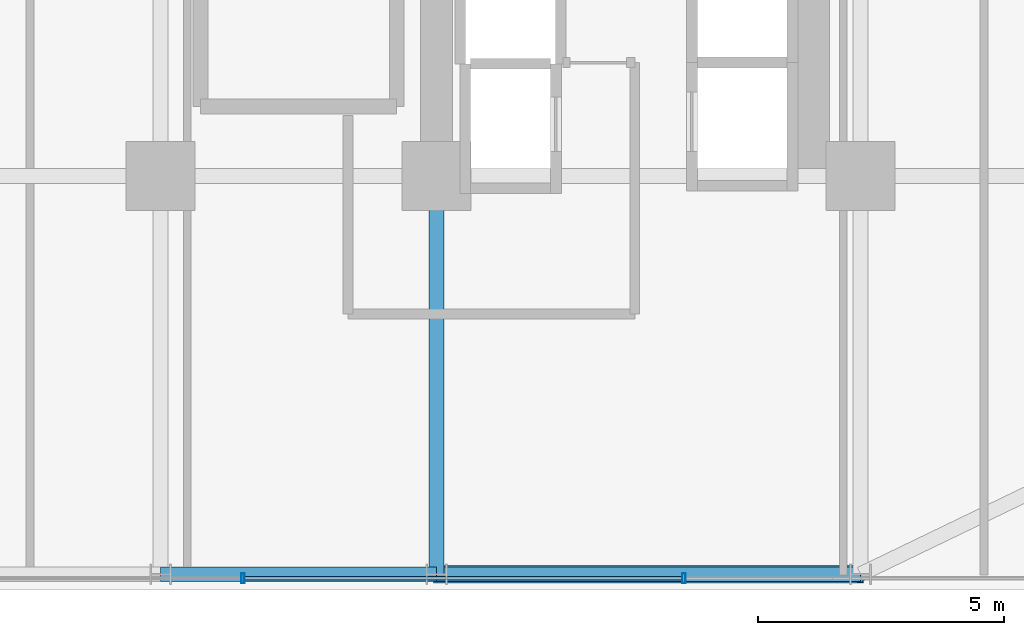
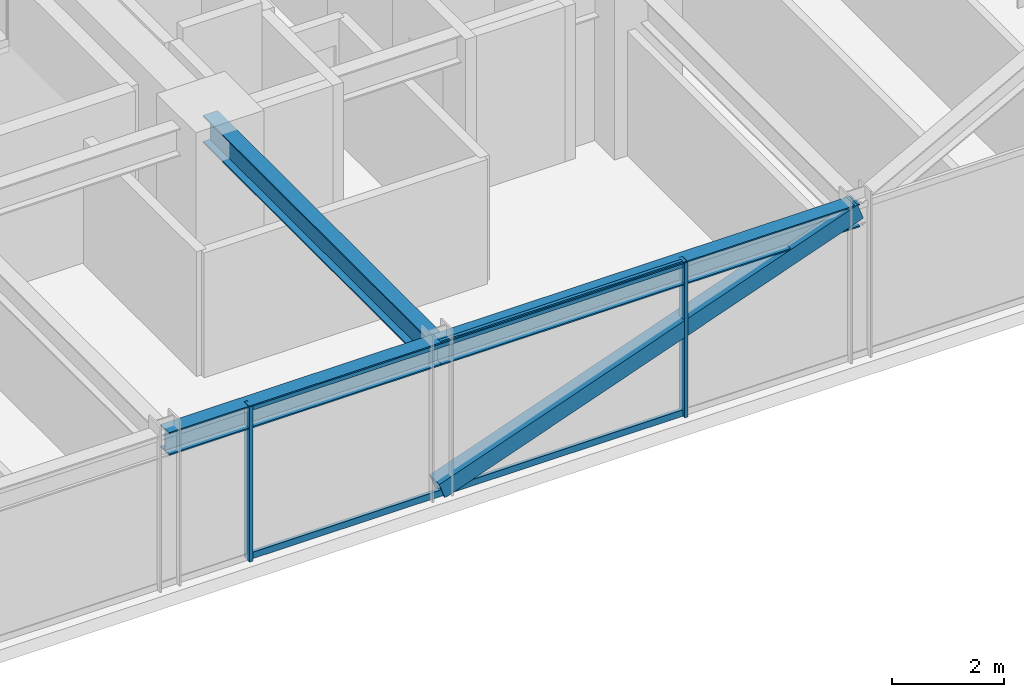
# One storey, part 15 of 42: 5 members, 3 beams, 1 element without a shape of its own.
"""IFC4 building model written with IfcOpenShell, lengths in metres."""

from ifc_helpers import new_model, si_unit, direction, frame, origin, origin_2d, place, context, subcontext, project, spatial, hollow_rectangle, i_section, extrude, source, transform, mapped, material, material_profile, profile_set, type_object, element, aggregate, save


model = new_model("IFC4")

# Units and contexts
model_context = context("Model", 3, precision=1e-05, world=origin(), true_north=direction((0.0, 1.0)))
body_context = subcontext(model_context, "Body", "Model", "MODEL_VIEW")
ifc_project = project(units=[si_unit("LENGTHUNIT", "METRE"), si_unit("AREAUNIT", "SQUARE_METRE"), si_unit("VOLUMEUNIT", "CUBIC_METRE"), si_unit("PLANEANGLEUNIT", "RADIAN"), si_unit("MASSUNIT", "GRAM", prefix="KILO")], contexts=[model_context])

# Site, building, storey
site_placement = place(None, origin())
site = spatial("IfcSite", under=ifc_project, at=site_placement, CompositionType="ELEMENT")
building_placement = place(site_placement, origin())
building = spatial("IfcBuilding", under=site, at=building_placement, Name="Nahalor Promenade Grand Hotel", CompositionType="ELEMENT")
storey_placement = place(building_placement, frame((0.0, 0.0, 61.60009765625)))
storey = spatial("IfcBuildingStorey", under=building, at=storey_placement, Name="L14", CompositionType="ELEMENT", Elevation=61.60009765625)

# Beams
ifc_material_1 = material(Name="Steel S355JR", Category="steel")
ifc_material_profile_1 = material_profile(ifc_material_1, i_section(OverallWidth=0.3, OverallDepth=0.5, WebThickness=0.0145, FlangeThickness=0.028, at=origin_2d()), Name="HEB 500")
ifc_profile_set_1 = profile_set([ifc_material_profile_1], Name="Steel S355JR")
beam_type_1 = type_object("IfcBeamType", Name="Beam-Spandrel-HEB500", PredefinedType="SPANDREL", material=ifc_profile_set_1)
shared_shape_1 = source(origin(), body_context, "Body", "SweptSolid", [
    extrude(i_section(OverallWidth=0.3, OverallDepth=0.5, WebThickness=0.0145, FlangeThickness=0.028, at=origin_2d()), origin(), (0.0, 0.0, 1.0), 8.60009765625),
])
beam_1_placement = place(storey_placement, frame((8.39990234375, -25.080078125, 3.119873046875), z_axis=(1.0, 0.0, 0.0), x_axis=(0.0, 1.0, 0.0)))
element("IfcBeam", 1, at=beam_1_placement, inside=storey, type_object=beam_type_1, Name="BM-L14-SP-S-4", PredefinedType="SPANDREL", context=body_context, shape_type="MappedRepresentation", body=[
    mapped(shared_shape_1, transform((0.0, 0.0, 0.0), scale=1.0)),
])
shared_shape_2 = source(origin(), body_context, "Body", "SweptSolid", [
    extrude(i_section(OverallWidth=0.3, OverallDepth=0.5, WebThickness=0.0145, FlangeThickness=0.028, at=origin_2d()), origin(), (0.0, 0.0, 1.0), 5.599853515625),
])
beam_2_placement = place(storey_placement, frame((2.800048828125, -25.080078125, 3.119873046875), z_axis=(1.0, 0.0, 0.0), x_axis=(0.0, 1.0, 0.0)))
element("IfcBeam", 2, at=beam_2_placement, inside=storey, type_object=beam_type_1, Name="BM-L14-SP-S-3", PredefinedType="SPANDREL", context=body_context, shape_type="MappedRepresentation", body=[
    mapped(shared_shape_2, transform((0.0, 0.0, 0.0), scale=1.0)),
])
ifc_material_profile_2 = material_profile(ifc_material_1, i_section(OverallWidth=0.3, OverallDepth=0.6, WebThickness=0.0155, FlangeThickness=0.03, at=origin_2d()), Name="HEB 600")
ifc_profile_set_2 = profile_set([ifc_material_profile_2], Name="Steel S355JR")
beam_type_2 = type_object("IfcBeamType", Name="Beam-Girder-HEB600", PredefinedType="BEAM", material=ifc_profile_set_2)
shared_shape_3 = source(origin(), body_context, "Body", "SweptSolid", [
    extrude(i_section(OverallWidth=0.3, OverallDepth=0.6, WebThickness=0.0155, FlangeThickness=0.03, at=origin_2d()), origin(), (0.0, 0.0, 1.0), 8.080078125),
])
beam_3_placement = place(storey_placement, frame((8.39990234375, -25.080078125, 3.06982421875), z_axis=(0.0, 1.0, 0.0), x_axis=(-1.0, 0.0, 0.0)))
element("IfcBeam", 3, at=beam_3_placement, inside=storey, type_object=beam_type_2, Name="BM-L14-GY-4-0", PredefinedType="BEAM", context=body_context, shape_type="MappedRepresentation", body=[
    mapped(shared_shape_3, transform((0.0, 0.0, 0.0), scale=1.0)),
])

# Member
ifc_material_profile_3 = material_profile(ifc_material_1, hollow_rectangle(XDim=0.35, YDim=0.35, WallThickness=0.02, at=origin_2d()), Name="SHS 350x350x20")
ifc_profile_set_3 = profile_set([ifc_material_profile_3], Name="Steel S355JR")
member_type_1 = type_object("IfcMemberType", Name="Mem-VoidBrace-SHS350", PredefinedType="BRACE", material=ifc_profile_set_3)
shared_shape_4 = source(origin(), body_context, "Body", "SweptSolid", [
    extrude(hollow_rectangle(XDim=0.35, YDim=0.35, WallThickness=0.02, at=origin_2d()), origin(), (0.0, 0.0, 1.0), 9.131591796875),
])
member_1_placement = place(storey_placement, frame((8.39990234375, -25.080078125, 0.14990234375), z_axis=(0.941790292179, 0.0, 0.336200900589), x_axis=(0.0, 1.0, 0.0)))
element("IfcMember", 4, at=member_1_placement, inside=storey, type_object=member_type_1, Name="EXO-L14-S-1", PredefinedType="BRACE", context=body_context, shape_type="MappedRepresentation", body=[
    mapped(shared_shape_4, transform((0.0, 0.0, 0.0), scale=1.0)),
])

# Curtain wall, members
ifc_material_2 = material(Name="Anodised Bronze Aluminium EN AW-6063 T6", Category="aluminium")
curtain_wall_type = type_object("IfcCurtainWallType", Name="CW3 Elliptical-Void Collar Unitised Curtain Wall", PredefinedType="USERDEFINED", material=ifc_material_2)
curtain_wall_placement = place(storey_placement, origin())
curtain_wall = element("IfcCurtainWall", 5, at=curtain_wall_placement, inside=storey, type_object=curtain_wall_type, Name="L14 Curtain Wall CW-L14-S-1", ObjectType="UNITISED_CURTAIN_WALL", PredefinedType="USERDEFINED")
ifc_material_profile_4 = material_profile(ifc_material_2, hollow_rectangle(XDim=0.07, YDim=0.2, WallThickness=0.005, at=origin_2d()), Name="CWM 70x200x5")
ifc_profile_set_4 = profile_set([ifc_material_profile_4], Name="Anodised Bronze Aluminium EN AW-6063 T6")
member_type_2 = type_object("IfcMemberType", Name="CWM3 Void Collar Mullion 70x200", PredefinedType="MULLION", material=ifc_profile_set_4)
shared_shape_5 = source(origin(), body_context, "Body", "SweptSolid", [
    extrude(hollow_rectangle(XDim=0.07, YDim=0.2, WallThickness=0.005, at=origin_2d()), origin(), (0.0, 0.0, 1.0), 3.369873046875),
])
member_2_placement = place(storey_placement, frame((4.471923828125, -25.159912109375, 0.0), z_axis=(0.0, 0.0, 1.0), x_axis=(1.0, 0.0, 0.0)))
member_2 = element("IfcMember", 6, at=member_2_placement, type_object=member_type_2, Name="CW-L14-S-1 Mullion 3", PredefinedType="MULLION", context=body_context, shape_type="MappedRepresentation", body=[
    mapped(shared_shape_5, transform((0.0, 0.0, 0.0), scale=1.0)),
])
member_3_placement = place(storey_placement, frame((13.416015625, -25.159912109375, 0.0), z_axis=(0.0, 0.0, 1.0), x_axis=(1.0, 0.0, 0.0)))
member_3 = element("IfcMember", 7, at=member_3_placement, type_object=member_type_2, Name="CW-L14-S-1 Mullion 4", PredefinedType="MULLION", context=body_context, shape_type="MappedRepresentation", body=[
    mapped(shared_shape_5, transform((0.0, 0.0, 0.0), scale=1.0)),
])
ifc_material_profile_5 = material_profile(ifc_material_2, hollow_rectangle(XDim=0.07, YDim=0.14, WallThickness=0.004, at=origin_2d()), Name="CWT 70x140x4")
ifc_profile_set_5 = profile_set([ifc_material_profile_5], Name="Anodised Bronze Aluminium EN AW-6063 T6")
member_type_3 = type_object("IfcMemberType", Name="CWT3 Void Collar Transom 70x140", PredefinedType="USERDEFINED", material=ifc_profile_set_5)
shared_shape_6 = source(origin(), body_context, "Body", "SweptSolid", [
    extrude(hollow_rectangle(XDim=0.07, YDim=0.14, WallThickness=0.004, at=origin_2d()), origin(), (0.0, 0.0, 1.0), 8.8740234375),
])
member_4_placement = place(storey_placement, frame((4.507080078125, -25.159912109375, 0.06982421875), z_axis=(1.0, 0.0, 0.0), x_axis=(0.0, 1.0, 0.0)))
member_4 = element("IfcMember", 8, at=member_4_placement, type_object=member_type_3, Name="CW-L14-S-1 Transom 3-0", ObjectType="TRANSOM", PredefinedType="USERDEFINED", context=body_context, shape_type="MappedRepresentation", body=[
    mapped(shared_shape_6, transform((0.0, 0.0, 0.0), scale=1.0)),
])
member_5_placement = place(storey_placement, frame((4.507080078125, -25.159912109375, 3.2998046875), z_axis=(1.0, 0.0, 0.0), x_axis=(0.0, 1.0, 0.0)))
member_5 = element("IfcMember", 9, at=member_5_placement, type_object=member_type_3, Name="CW-L14-S-1 Transom 3-1", ObjectType="TRANSOM", PredefinedType="USERDEFINED", context=body_context, shape_type="MappedRepresentation", body=[
    mapped(shared_shape_6, transform((0.0, 0.0, 0.0), scale=1.0)),
])
aggregate(curtain_wall, [member_2, member_3, member_4, member_5])

save(model, "model.ifc")
